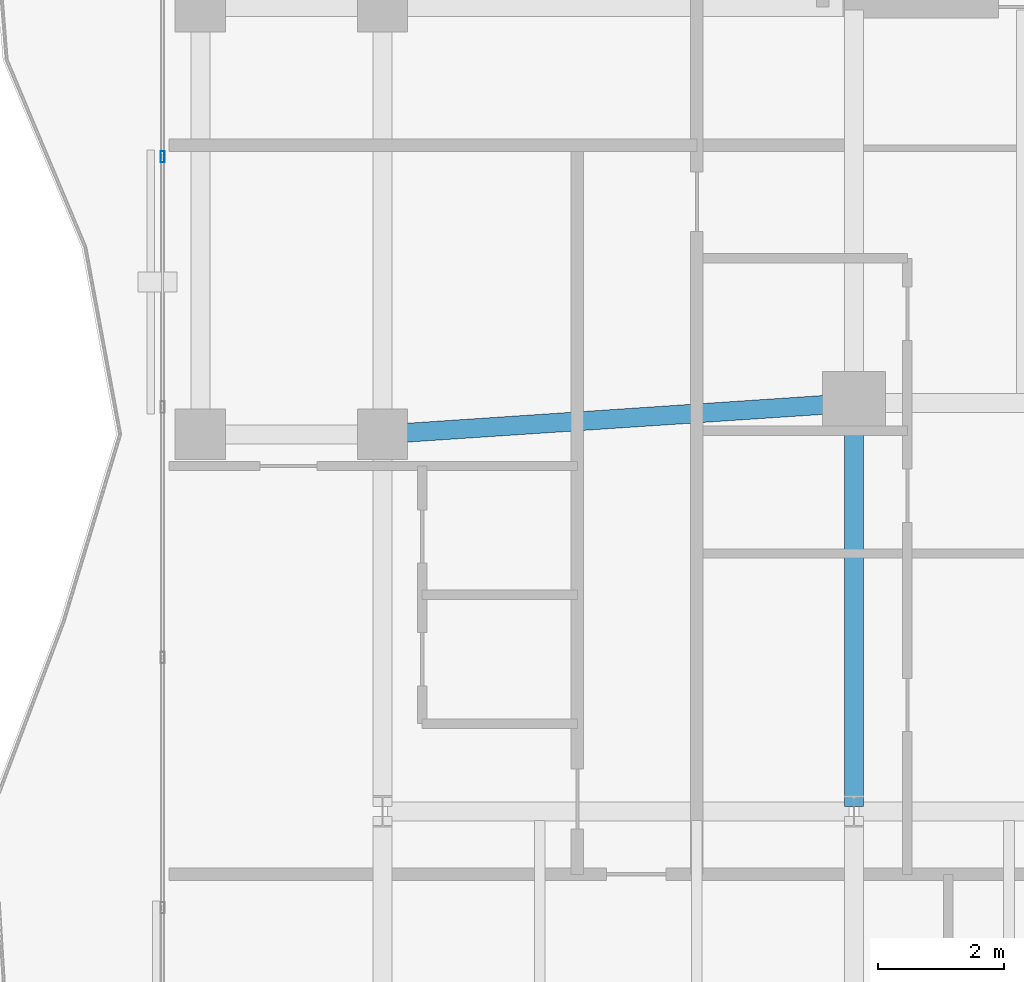
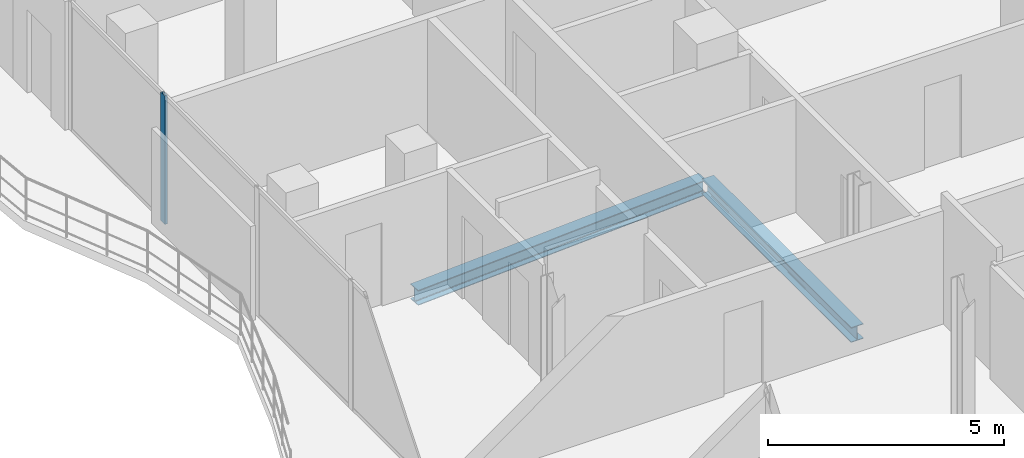
# One storey, part 8 of 23: 2 beams, 1 member, 1 element without a shape of its own.
"""IFC4 building model written with IfcOpenShell, lengths in metres."""

from ifc_helpers import new_model, si_unit, direction, frame, origin, origin_2d, place, context, subcontext, project, spatial, hollow_rectangle, i_section, extrude, material, layer, layer_set, material_profile, profile_set, type_object, element, aggregate, save


model = new_model("IFC4")

# Units and contexts
model_context = context("Model", 3, precision=1e-05, world=origin(), true_north=direction((0.0, 1.0)))
body_context = subcontext(model_context, "Body", "Model", "MODEL_VIEW")
ifc_project = project(units=[si_unit("LENGTHUNIT", "METRE"), si_unit("AREAUNIT", "SQUARE_METRE"), si_unit("VOLUMEUNIT", "CUBIC_METRE"), si_unit("PLANEANGLEUNIT", "RADIAN"), si_unit("MASSUNIT", "GRAM", prefix="KILO")], contexts=[model_context])

# Site, building, storey
site_placement = place(None, origin())
site = spatial("IfcSite", under=ifc_project, at=site_placement, CompositionType="ELEMENT")
building_placement = place(site_placement, origin())
building = spatial("IfcBuilding", under=site, at=building_placement, Name="Catumbela Crestline Tower", CompositionType="ELEMENT")
storey_placement = place(building_placement, frame((0.0, 0.0, 165.0)))
storey = spatial("IfcBuildingStorey", under=building, at=storey_placement, Name="L42", CompositionType="ELEMENT", Elevation=165.0)

# Beams
ifc_material_1 = material(Name="Structural steel S355J2", Category="steel")
ifc_material_profile_1 = material_profile(ifc_material_1, i_section(OverallWidth=0.3, OverallDepth=0.39, WebThickness=0.011, FlangeThickness=0.019, FilletRadius=0.027, at=origin_2d()), Name="HEA 400")
ifc_profile_set_1 = profile_set([ifc_material_profile_1], Name="Structural steel S355J2")
beam_type = type_object("IfcBeamType", Name="BG-HEA400", PredefinedType="BEAM", material=ifc_profile_set_1)
beam_1_placement = place(storey_placement, frame((8.5798, 24.0053, -0.455), z_axis=(0.997784796964, 0.066524423687, 0.0), x_axis=(-0.066524423687, 0.997784796964, 0.0)))
element("IfcBeam", 1, at=beam_1_placement, inside=storey, type_object=beam_type, Name="L42 Beam BM-L42-S02", PredefinedType="BEAM", context=body_context, shape_type="SweptSolid", body=[
    extrude(i_section(OverallWidth=0.3, OverallDepth=0.39, WebThickness=0.011, FlangeThickness=0.019, FilletRadius=0.027, at=origin_2d()), origin(), (0.0, 0.0, 1.0), 7.3567),
])
beam_2_placement = place(storey_placement, frame((16.0, 18.08, -0.455), z_axis=(0.0, 1.0, 0.0), x_axis=(-1.0, 0.0, 0.0)))
element("IfcBeam", 2, at=beam_2_placement, inside=storey, type_object=beam_type, Name="L42 Beam BM-L42-WNS42", PredefinedType="BEAM", context=body_context, shape_type="SweptSolid", body=[
    extrude(i_section(OverallWidth=0.3, OverallDepth=0.39, WebThickness=0.011, FlangeThickness=0.019, FilletRadius=0.027, at=origin_2d()), origin(), (0.0, 0.0, 1.0), 6.34),
])

# Curtain wall, member
ifc_material_2 = material(Name="Aluminium alloy AW-6060-T66", Category="aluminium")
ifc_layer = layer(ifc_material_2, 0.18, Name="Aluminium alloy AW-6060-T66")
ifc_layer_set = layer_set([ifc_layer], Name="Aluminium alloy AW-6060-T66")
curtain_wall_type = type_object("IfcCurtainWallType", Name="CWU-Z3", PredefinedType="USERDEFINED", material=ifc_layer_set)
curtain_wall_placement = place(storey_placement, origin())
curtain_wall = element("IfcCurtainWall", 3, at=curtain_wall_placement, inside=storey, type_object=curtain_wall_type, Name="L42 Unitised Curtain Wall CW-L42-E9S2", ObjectType="UNITISED", PredefinedType="USERDEFINED")
ifc_material_profile_2 = material_profile(ifc_material_2, hollow_rectangle(XDim=0.065, YDim=0.18, WallThickness=0.004, at=origin_2d()), Name="ALU 180x65x4")
ifc_profile_set_2 = profile_set([ifc_material_profile_2], Name="Aluminium alloy AW-6060-T66")
member_type = type_object("IfcMemberType", Name="MUL-180X65", PredefinedType="MULLION", material=ifc_profile_set_2)
member_placement = place(storey_placement, frame((5.0, 28.4167, 0.0), z_axis=(0.0, 0.0, 1.0), x_axis=(1.0, 0.0, 0.0)))
member = element("IfcMember", 4, at=member_placement, type_object=member_type, Name="CWU-Z3 mullion 2", PredefinedType="MULLION", context=body_context, shape_type="SweptSolid", body=[
    extrude(hollow_rectangle(XDim=0.065, YDim=0.18, WallThickness=0.004, at=origin_2d()), origin(), (0.0, 0.0, 1.0), 3.33),
])
aggregate(curtain_wall, [member])

save(model, "model.ifc")
